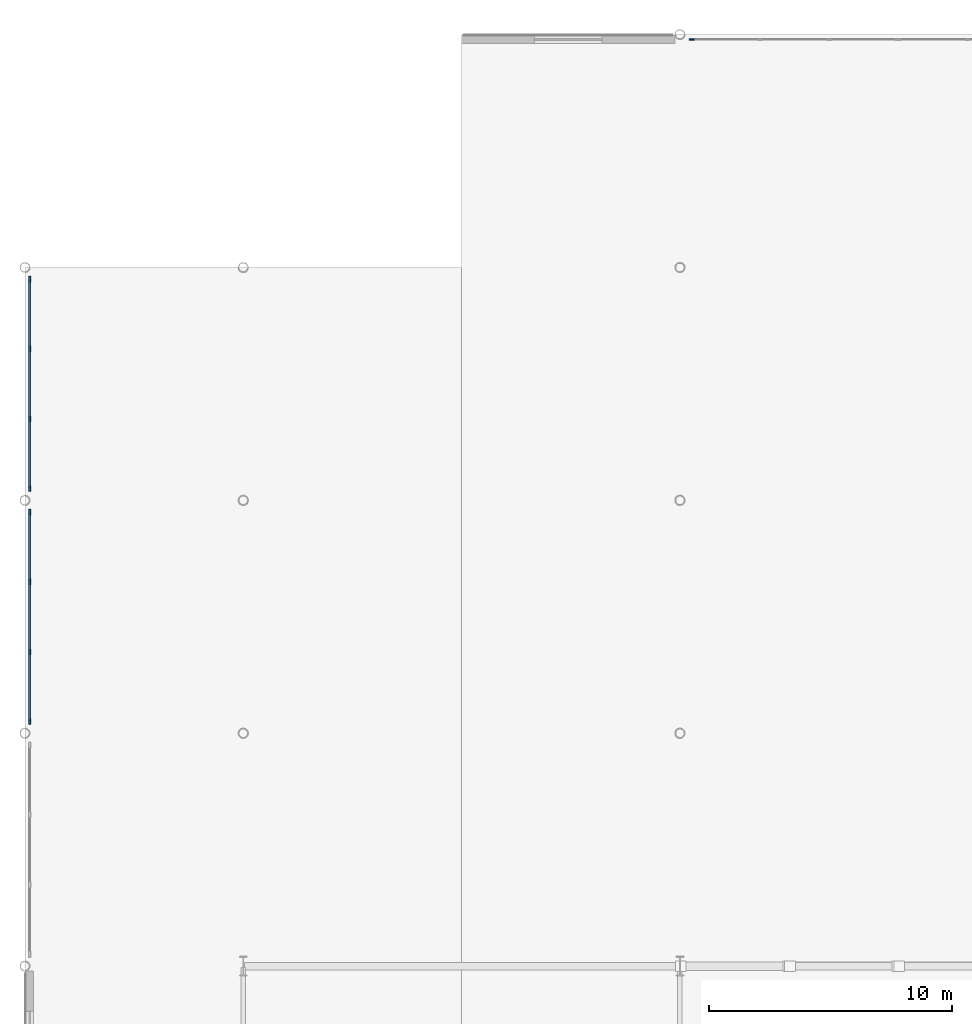
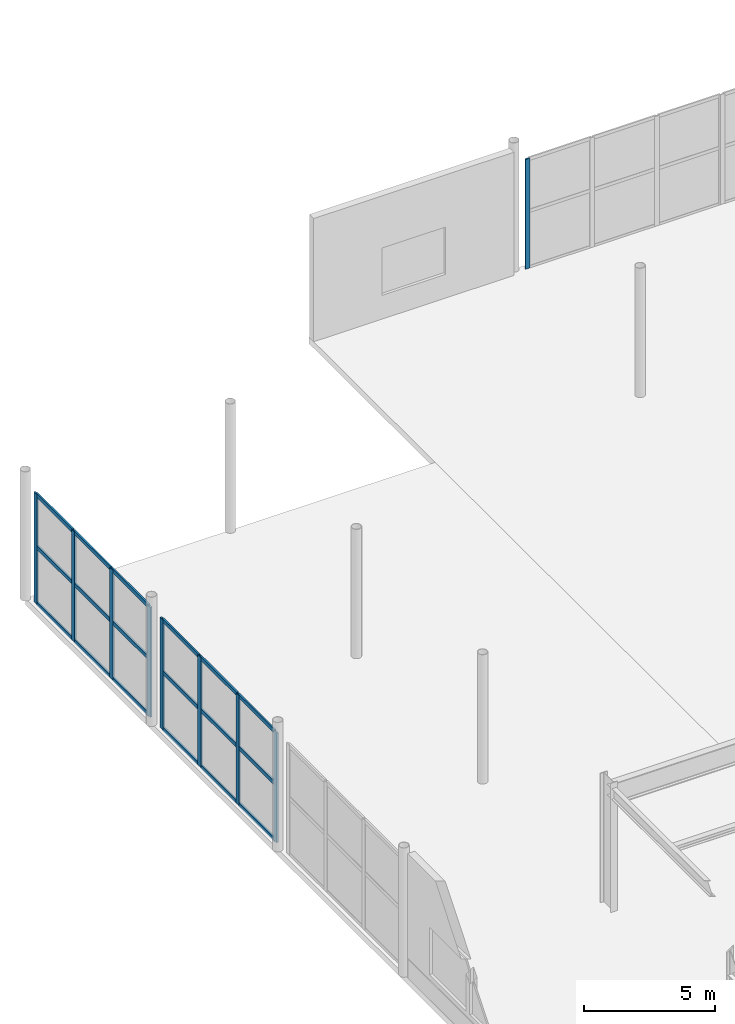
# One storey, part 38 of 113: 27 members, 3 elements without a shape of their own.
"""IFC4 building model written with IfcOpenShell, lengths in metres."""

from ifc_helpers import new_model, si_unit, direction, frame, origin, origin_2d, place, context, subcontext, project, spatial, rectangle, extrude, material, layer, layer_set, material_profile, profile_set, type_object, element, aggregate, save


model = new_model("IFC4")

# Units and contexts
model_context = context("Model", 3, precision=1e-05, world=origin(), true_north=direction((0.0, 1.0)))
body_context = subcontext(model_context, "Body", "Model", "MODEL_VIEW")
ifc_project = project(units=[si_unit("LENGTHUNIT", "METRE"), si_unit("AREAUNIT", "SQUARE_METRE"), si_unit("VOLUMEUNIT", "CUBIC_METRE"), si_unit("PLANEANGLEUNIT", "RADIAN"), si_unit("MASSUNIT", "GRAM", prefix="KILO")], contexts=[model_context])

# Site, building, storey
site_placement = place(None, origin())
site = spatial("IfcSite", under=ifc_project, at=site_placement, CompositionType="ELEMENT")
building_placement = place(site_placement, origin())
building = spatial("IfcBuilding", under=site, at=building_placement, Name="Myrtia Square Station", CompositionType="ELEMENT")
storey_placement = place(building_placement, origin())
storey = spatial("IfcBuildingStorey", under=building, at=storey_placement, Name="L00", CompositionType="ELEMENT", Elevation=0.0)

# Curtain wall, member
ifc_material = material(Name="Dark bronze anodised aluminium", Category="aluminium")
ifc_layer_1 = layer(ifc_material, 0.159912109375, Name="Dark bronze anodised aluminium")
ifc_layer_set_1 = layer_set([ifc_layer_1], Name="Dark bronze anodised aluminium")
curtain_wall_type_1 = type_object("IfcCurtainWallType", Name="CW-TYPE-24-855x510", PredefinedType="USERDEFINED", material=ifc_layer_set_1)
curtain_wall_1_placement = place(storey_placement, origin())
curtain_wall_1 = element("IfcCurtainWall", 1, at=curtain_wall_1_placement, inside=storey, type_object=curtain_wall_type_1, Name="Concourse curtain wall CW-L00-083", ObjectType="CONCOURSE CURTAIN WALL", PredefinedType="USERDEFINED")
ifc_material_profile_1 = material_profile(ifc_material, rectangle(XDim=0.06494140625, YDim=0.199951171875, at=origin_2d()), Name="ALU-M 65x200")
ifc_profile_set_1 = profile_set([ifc_material_profile_1], Name="Dark bronze anodised aluminium")
member_type_1 = type_object("IfcMemberType", Name="CWM-65x200", PredefinedType="MULLION", material=ifc_profile_set_1)
member_1_placement = place(storey_placement, frame((27.482421875, 124.60009765625, 0.0), z_axis=(0.0, 0.0, 1.0), x_axis=(0.0, 1.0, 0.0)))
member_1 = element("IfcMember", 2, at=member_1_placement, type_object=member_type_1, Name="CW-083 mullion 1", PredefinedType="MULLION", context=body_context, shape_type="SweptSolid", body=[
    extrude(rectangle(XDim=0.06494140625, YDim=0.199951171875, at=origin_2d()), origin(), (0.0, 0.0, 1.0), 5.10009765625),
])
aggregate(curtain_wall_1, [member_1])

# Curtain wall, members
ifc_layer_2 = layer(ifc_material, 0.159912109375, Name="Dark bronze anodised aluminium")
ifc_layer_set_2 = layer_set([ifc_layer_2], Name="Dark bronze anodised aluminium")
curtain_wall_type_2 = type_object("IfcCurtainWallType", Name="CW-TYPE-22-870x510", PredefinedType="USERDEFINED", material=ifc_layer_set_2)
curtain_wall_2_placement = place(storey_placement, origin())
curtain_wall_2 = element("IfcCurtainWall", 3, at=curtain_wall_2_placement, inside=storey, type_object=curtain_wall_type_2, Name="Concourse curtain wall CW-L00-080", ObjectType="CONCOURSE CURTAIN WALL", PredefinedType="USERDEFINED")
ifc_material_profile_2 = material_profile(ifc_material, rectangle(XDim=0.074951171875, YDim=0.239990234375, at=origin_2d()), Name="ALU-M 75x240")
ifc_profile_set_2 = profile_set([ifc_material_profile_2], Name="Dark bronze anodised aluminium")
member_type_2 = type_object("IfcMemberType", Name="CWM-75x240", PredefinedType="MULLION", material=ifc_profile_set_2)
member_2_placement = place(storey_placement, frame((0.199951171875, 96.487548828125, 0.0), z_axis=(0.0, 0.0, 1.0), x_axis=(-1.0, 0.0, 0.0)))
member_2 = element("IfcMember", 4, at=member_2_placement, type_object=member_type_2, Name="CW-080 mullion 1", PredefinedType="MULLION", context=body_context, shape_type="SweptSolid", body=[
    extrude(rectangle(XDim=0.074951171875, YDim=0.239990234375, at=origin_2d()), origin(), (0.0, 0.0, 1.0), 5.10009765625),
])
member_3_placement = place(storey_placement, frame((0.199951171875, 99.35009765625, 0.0), z_axis=(0.0, 0.0, 1.0), x_axis=(-1.0, 0.0, 0.0)))
member_3 = element("IfcMember", 5, at=member_3_placement, type_object=member_type_2, Name="CW-080 mullion 2", PredefinedType="MULLION", context=body_context, shape_type="SweptSolid", body=[
    extrude(rectangle(XDim=0.074951171875, YDim=0.239990234375, at=origin_2d()), origin(), (0.0, 0.0, 1.0), 5.10009765625),
])
member_4_placement = place(storey_placement, frame((0.199951171875, 102.25, 0.0), z_axis=(0.0, 0.0, 1.0), x_axis=(-1.0, 0.0, 0.0)))
member_4 = element("IfcMember", 6, at=member_4_placement, type_object=member_type_2, Name="CW-080 mullion 3", PredefinedType="MULLION", context=body_context, shape_type="SweptSolid", body=[
    extrude(rectangle(XDim=0.074951171875, YDim=0.239990234375, at=origin_2d()), origin(), (0.0, 0.0, 1.0), 5.10009765625),
])
member_5_placement = place(storey_placement, frame((0.199951171875, 105.112548828125, 0.0), z_axis=(0.0, 0.0, 1.0), x_axis=(-1.0, 0.0, 0.0)))
member_5 = element("IfcMember", 7, at=member_5_placement, type_object=member_type_2, Name="CW-080 mullion 4", PredefinedType="MULLION", context=body_context, shape_type="SweptSolid", body=[
    extrude(rectangle(XDim=0.074951171875, YDim=0.239990234375, at=origin_2d()), origin(), (0.0, 0.0, 1.0), 5.10009765625),
])

curtain_wall_3_placement = place(storey_placement, origin())
curtain_wall_3 = element("IfcCurtainWall", 8, at=curtain_wall_3_placement, inside=storey, type_object=curtain_wall_type_2, Name="Concourse curtain wall CW-L00-081", ObjectType="CONCOURSE CURTAIN WALL", PredefinedType="USERDEFINED")
member_6_placement = place(storey_placement, frame((0.199951171875, 106.08740234375, 0.0), z_axis=(0.0, 0.0, 1.0), x_axis=(-1.0, 0.0, 0.0)))
member_6 = element("IfcMember", 9, at=member_6_placement, type_object=member_type_2, Name="CW-081 mullion 1", PredefinedType="MULLION", context=body_context, shape_type="SweptSolid", body=[
    extrude(rectangle(XDim=0.074951171875, YDim=0.239990234375, at=origin_2d()), origin(), (0.0, 0.0, 1.0), 5.10009765625),
])
member_7_placement = place(storey_placement, frame((0.199951171875, 108.949951171875, 0.0), z_axis=(0.0, 0.0, 1.0), x_axis=(-1.0, 0.0, 0.0)))
member_7 = element("IfcMember", 10, at=member_7_placement, type_object=member_type_2, Name="CW-081 mullion 2", PredefinedType="MULLION", context=body_context, shape_type="SweptSolid", body=[
    extrude(rectangle(XDim=0.074951171875, YDim=0.239990234375, at=origin_2d()), origin(), (0.0, 0.0, 1.0), 5.10009765625),
])
member_8_placement = place(storey_placement, frame((0.199951171875, 111.85009765625, 0.0), z_axis=(0.0, 0.0, 1.0), x_axis=(-1.0, 0.0, 0.0)))
member_8 = element("IfcMember", 11, at=member_8_placement, type_object=member_type_2, Name="CW-081 mullion 3", PredefinedType="MULLION", context=body_context, shape_type="SweptSolid", body=[
    extrude(rectangle(XDim=0.074951171875, YDim=0.239990234375, at=origin_2d()), origin(), (0.0, 0.0, 1.0), 5.10009765625),
])
member_9_placement = place(storey_placement, frame((0.199951171875, 114.71240234375, 0.0), z_axis=(0.0, 0.0, 1.0), x_axis=(-1.0, 0.0, 0.0)))
member_9 = element("IfcMember", 12, at=member_9_placement, type_object=member_type_2, Name="CW-081 mullion 4", PredefinedType="MULLION", context=body_context, shape_type="SweptSolid", body=[
    extrude(rectangle(XDim=0.074951171875, YDim=0.239990234375, at=origin_2d()), origin(), (0.0, 0.0, 1.0), 5.10009765625),
])

# Member
ifc_material_profile_3 = material_profile(ifc_material, rectangle(XDim=0.074951171875, YDim=0.179931640625, at=origin_2d()), Name="ALU-T 75x180")
ifc_profile_set_3 = profile_set([ifc_material_profile_3], Name="Dark bronze anodised aluminium")
member_type_3 = type_object("IfcMemberType", Name="CWT-75x180", PredefinedType="USERDEFINED", material=ifc_profile_set_3)
member_10_placement = place(storey_placement, frame((0.199951171875, 96.52490234375, 0.03759765625), z_axis=(0.0, 1.0, 0.0), x_axis=(-1.0, 0.0, 0.0)))
member_10 = element("IfcMember", 13, at=member_10_placement, type_object=member_type_3, Name="CW-080 transom 1.1", ObjectType="TRANSOM", PredefinedType="USERDEFINED", context=body_context, shape_type="SweptSolid", body=[
    extrude(rectangle(XDim=0.074951171875, YDim=0.179931640625, at=origin_2d()), origin(), (0.0, 0.0, 1.0), 2.78759765625),
])

member_11_placement = place(storey_placement, frame((0.199951171875, 96.52490234375, 2.652099609375), z_axis=(0.0, 1.0, 0.0), x_axis=(-1.0, 0.0, 0.0)))
member_11 = element("IfcMember", 14, at=member_11_placement, type_object=member_type_3, Name="CW-080 transom 1.2", ObjectType="TRANSOM", PredefinedType="USERDEFINED", context=body_context, shape_type="SweptSolid", body=[
    extrude(rectangle(XDim=0.074951171875, YDim=0.179931640625, at=origin_2d()), origin(), (0.0, 0.0, 1.0), 2.78759765625),
])

member_12_placement = place(storey_placement, frame((0.199951171875, 96.52490234375, 5.0625), z_axis=(0.0, 1.0, 0.0), x_axis=(-1.0, 0.0, 0.0)))
member_12 = element("IfcMember", 15, at=member_12_placement, type_object=member_type_3, Name="CW-080 transom 1.3", ObjectType="TRANSOM", PredefinedType="USERDEFINED", context=body_context, shape_type="SweptSolid", body=[
    extrude(rectangle(XDim=0.074951171875, YDim=0.179931640625, at=origin_2d()), origin(), (0.0, 0.0, 1.0), 2.78759765625),
])

member_13_placement = place(storey_placement, frame((0.199951171875, 99.387451171875, 0.03759765625), z_axis=(0.0, 1.0, 0.0), x_axis=(-1.0, 0.0, 0.0)))
member_13 = element("IfcMember", 16, at=member_13_placement, type_object=member_type_3, Name="CW-080 transom 2.1", ObjectType="TRANSOM", PredefinedType="USERDEFINED", context=body_context, shape_type="SweptSolid", body=[
    extrude(rectangle(XDim=0.074951171875, YDim=0.179931640625, at=origin_2d()), origin(), (0.0, 0.0, 1.0), 2.824951171875),
])

member_14_placement = place(storey_placement, frame((0.199951171875, 99.387451171875, 2.652099609375), z_axis=(0.0, 1.0, 0.0), x_axis=(-1.0, 0.0, 0.0)))
member_14 = element("IfcMember", 17, at=member_14_placement, type_object=member_type_3, Name="CW-080 transom 2.2", ObjectType="TRANSOM", PredefinedType="USERDEFINED", context=body_context, shape_type="SweptSolid", body=[
    extrude(rectangle(XDim=0.074951171875, YDim=0.179931640625, at=origin_2d()), origin(), (0.0, 0.0, 1.0), 2.824951171875),
])

member_15_placement = place(storey_placement, frame((0.199951171875, 99.387451171875, 5.0625), z_axis=(0.0, 1.0, 0.0), x_axis=(-1.0, 0.0, 0.0)))
member_15 = element("IfcMember", 18, at=member_15_placement, type_object=member_type_3, Name="CW-080 transom 2.3", ObjectType="TRANSOM", PredefinedType="USERDEFINED", context=body_context, shape_type="SweptSolid", body=[
    extrude(rectangle(XDim=0.074951171875, YDim=0.179931640625, at=origin_2d()), origin(), (0.0, 0.0, 1.0), 2.824951171875),
])

member_16_placement = place(storey_placement, frame((0.199951171875, 102.28759765625, 0.03759765625), z_axis=(0.0, 1.0, 0.0), x_axis=(-1.0, 0.0, 0.0)))
member_16 = element("IfcMember", 19, at=member_16_placement, type_object=member_type_3, Name="CW-080 transom 3.1", ObjectType="TRANSOM", PredefinedType="USERDEFINED", context=body_context, shape_type="SweptSolid", body=[
    extrude(rectangle(XDim=0.074951171875, YDim=0.179931640625, at=origin_2d()), origin(), (0.0, 0.0, 1.0), 2.787353515625),
])

member_17_placement = place(storey_placement, frame((0.199951171875, 102.28759765625, 2.652099609375), z_axis=(0.0, 1.0, 0.0), x_axis=(-1.0, 0.0, 0.0)))
member_17 = element("IfcMember", 20, at=member_17_placement, type_object=member_type_3, Name="CW-080 transom 3.2", ObjectType="TRANSOM", PredefinedType="USERDEFINED", context=body_context, shape_type="SweptSolid", body=[
    extrude(rectangle(XDim=0.074951171875, YDim=0.179931640625, at=origin_2d()), origin(), (0.0, 0.0, 1.0), 2.787353515625),
])

member_18_placement = place(storey_placement, frame((0.199951171875, 102.28759765625, 5.0625), z_axis=(0.0, 1.0, 0.0), x_axis=(-1.0, 0.0, 0.0)))
member_18 = element("IfcMember", 21, at=member_18_placement, type_object=member_type_3, Name="CW-080 transom 3.3", ObjectType="TRANSOM", PredefinedType="USERDEFINED", context=body_context, shape_type="SweptSolid", body=[
    extrude(rectangle(XDim=0.074951171875, YDim=0.179931640625, at=origin_2d()), origin(), (0.0, 0.0, 1.0), 2.787353515625),
])

aggregate(curtain_wall_2, [member_2, member_3, member_4, member_5, member_10, member_11, member_12, member_13, member_14, member_15, member_16, member_17, member_18])

member_19_placement = place(storey_placement, frame((0.199951171875, 106.125, 0.03759765625), z_axis=(0.0, 1.0, 0.0), x_axis=(-1.0, 0.0, 0.0)))
member_19 = element("IfcMember", 22, at=member_19_placement, type_object=member_type_3, Name="CW-081 transom 1.1", ObjectType="TRANSOM", PredefinedType="USERDEFINED", context=body_context, shape_type="SweptSolid", body=[
    extrude(rectangle(XDim=0.074951171875, YDim=0.179931640625, at=origin_2d()), origin(), (0.0, 0.0, 1.0), 2.78759765625),
])

member_20_placement = place(storey_placement, frame((0.199951171875, 106.125, 2.652099609375), z_axis=(0.0, 1.0, 0.0), x_axis=(-1.0, 0.0, 0.0)))
member_20 = element("IfcMember", 23, at=member_20_placement, type_object=member_type_3, Name="CW-081 transom 1.2", ObjectType="TRANSOM", PredefinedType="USERDEFINED", context=body_context, shape_type="SweptSolid", body=[
    extrude(rectangle(XDim=0.074951171875, YDim=0.179931640625, at=origin_2d()), origin(), (0.0, 0.0, 1.0), 2.78759765625),
])

member_21_placement = place(storey_placement, frame((0.199951171875, 106.125, 5.0625), z_axis=(0.0, 1.0, 0.0), x_axis=(-1.0, 0.0, 0.0)))
member_21 = element("IfcMember", 24, at=member_21_placement, type_object=member_type_3, Name="CW-081 transom 1.3", ObjectType="TRANSOM", PredefinedType="USERDEFINED", context=body_context, shape_type="SweptSolid", body=[
    extrude(rectangle(XDim=0.074951171875, YDim=0.179931640625, at=origin_2d()), origin(), (0.0, 0.0, 1.0), 2.78759765625),
])

member_22_placement = place(storey_placement, frame((0.199951171875, 108.987548828125, 0.03759765625), z_axis=(0.0, 1.0, 0.0), x_axis=(-1.0, 0.0, 0.0)))
member_22 = element("IfcMember", 25, at=member_22_placement, type_object=member_type_3, Name="CW-081 transom 2.1", ObjectType="TRANSOM", PredefinedType="USERDEFINED", context=body_context, shape_type="SweptSolid", body=[
    extrude(rectangle(XDim=0.074951171875, YDim=0.179931640625, at=origin_2d()), origin(), (0.0, 0.0, 1.0), 2.824951171875),
])

member_23_placement = place(storey_placement, frame((0.199951171875, 108.987548828125, 2.652099609375), z_axis=(0.0, 1.0, 0.0), x_axis=(-1.0, 0.0, 0.0)))
member_23 = element("IfcMember", 26, at=member_23_placement, type_object=member_type_3, Name="CW-081 transom 2.2", ObjectType="TRANSOM", PredefinedType="USERDEFINED", context=body_context, shape_type="SweptSolid", body=[
    extrude(rectangle(XDim=0.074951171875, YDim=0.179931640625, at=origin_2d()), origin(), (0.0, 0.0, 1.0), 2.824951171875),
])

member_24_placement = place(storey_placement, frame((0.199951171875, 108.987548828125, 5.0625), z_axis=(0.0, 1.0, 0.0), x_axis=(-1.0, 0.0, 0.0)))
member_24 = element("IfcMember", 27, at=member_24_placement, type_object=member_type_3, Name="CW-081 transom 2.3", ObjectType="TRANSOM", PredefinedType="USERDEFINED", context=body_context, shape_type="SweptSolid", body=[
    extrude(rectangle(XDim=0.074951171875, YDim=0.179931640625, at=origin_2d()), origin(), (0.0, 0.0, 1.0), 2.824951171875),
])

member_25_placement = place(storey_placement, frame((0.199951171875, 111.887451171875, 0.03759765625), z_axis=(0.0, 1.0, 0.0), x_axis=(-1.0, 0.0, 0.0)))
member_25 = element("IfcMember", 28, at=member_25_placement, type_object=member_type_3, Name="CW-081 transom 3.1", ObjectType="TRANSOM", PredefinedType="USERDEFINED", context=body_context, shape_type="SweptSolid", body=[
    extrude(rectangle(XDim=0.074951171875, YDim=0.179931640625, at=origin_2d()), origin(), (0.0, 0.0, 1.0), 2.78759765625),
])

member_26_placement = place(storey_placement, frame((0.199951171875, 111.887451171875, 2.652099609375), z_axis=(0.0, 1.0, 0.0), x_axis=(-1.0, 0.0, 0.0)))
member_26 = element("IfcMember", 29, at=member_26_placement, type_object=member_type_3, Name="CW-081 transom 3.2", ObjectType="TRANSOM", PredefinedType="USERDEFINED", context=body_context, shape_type="SweptSolid", body=[
    extrude(rectangle(XDim=0.074951171875, YDim=0.179931640625, at=origin_2d()), origin(), (0.0, 0.0, 1.0), 2.78759765625),
])

member_27_placement = place(storey_placement, frame((0.199951171875, 111.887451171875, 5.0625), z_axis=(0.0, 1.0, 0.0), x_axis=(-1.0, 0.0, 0.0)))
member_27 = element("IfcMember", 30, at=member_27_placement, type_object=member_type_3, Name="CW-081 transom 3.3", ObjectType="TRANSOM", PredefinedType="USERDEFINED", context=body_context, shape_type="SweptSolid", body=[
    extrude(rectangle(XDim=0.074951171875, YDim=0.179931640625, at=origin_2d()), origin(), (0.0, 0.0, 1.0), 2.78759765625),
])

aggregate(curtain_wall_3, [member_6, member_7, member_8, member_9, member_19, member_20, member_21, member_22, member_23, member_24, member_25, member_26, member_27])

save(model, "model.ifc")
